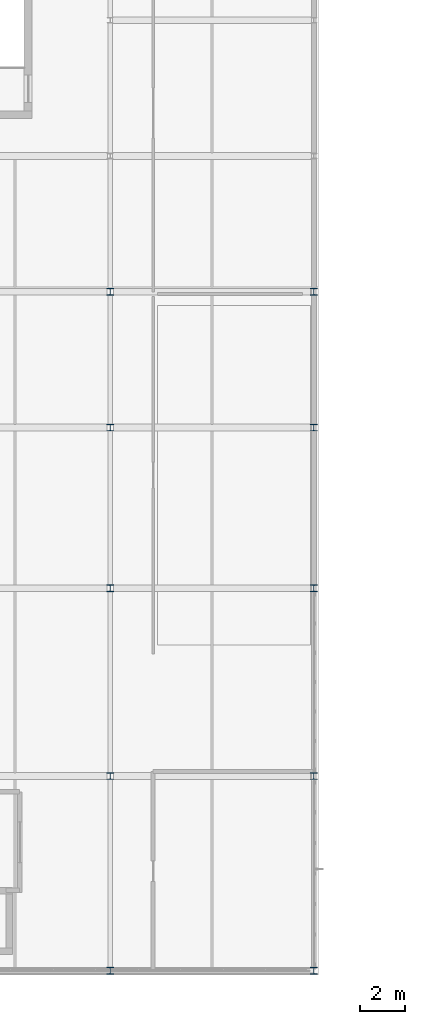
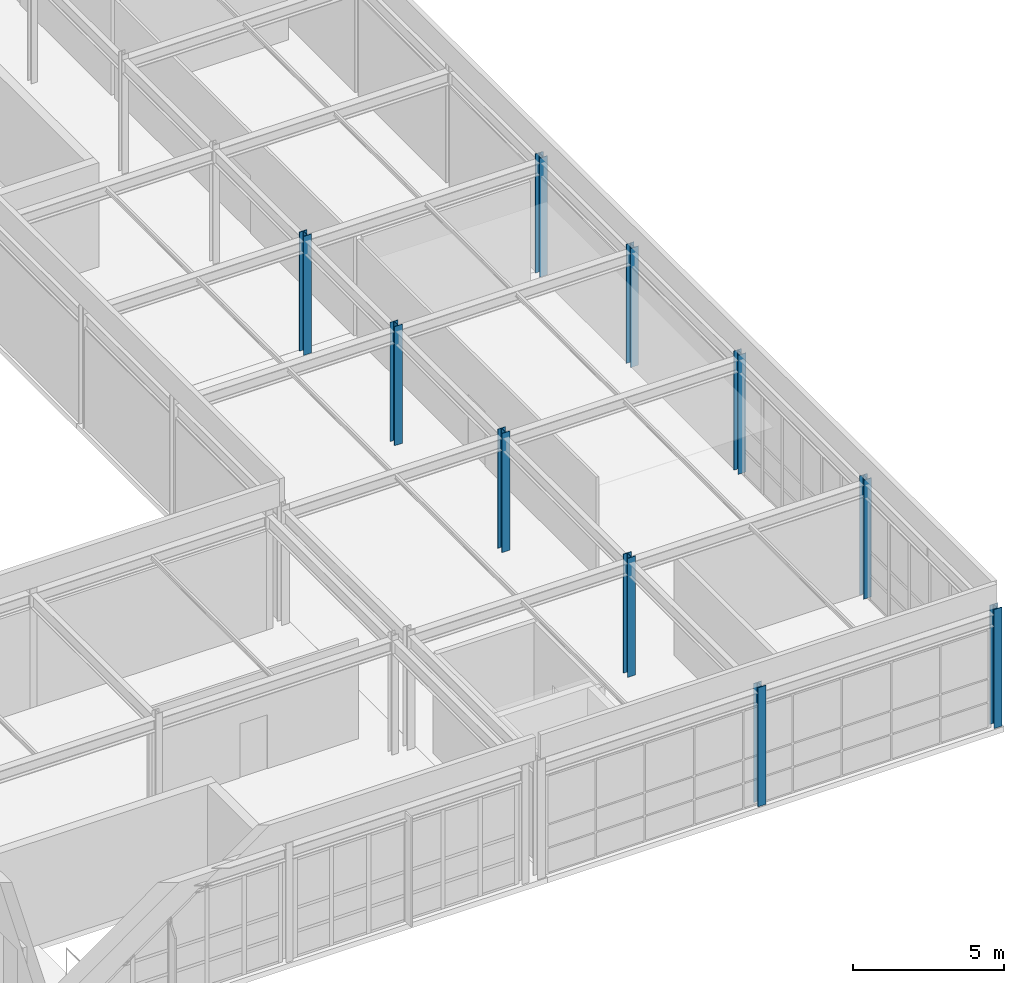
# One storey, part 4 of 38: 10 columns.
"""IFC4 building model written with IfcOpenShell, lengths in metres."""

from ifc_helpers import new_model, si_unit, direction, frame, origin, origin_2d, place, context, subcontext, project, spatial, i_section, extrude, material, material_profile, profile_set, type_object, element, save


model = new_model("IFC4")

# Units and contexts
model_context = context("Model", 3, precision=1e-05, world=origin(), true_north=direction((0.0, 1.0)))
body_context = subcontext(model_context, "Body", "Model", "MODEL_VIEW")
ifc_project = project(units=[si_unit("LENGTHUNIT", "METRE"), si_unit("AREAUNIT", "SQUARE_METRE"), si_unit("VOLUMEUNIT", "CUBIC_METRE"), si_unit("PLANEANGLEUNIT", "RADIAN"), si_unit("MASSUNIT", "GRAM", prefix="KILO")], contexts=[model_context])

# Site, building, storey
site_placement = place(None, origin())
site = spatial("IfcSite", under=ifc_project, at=site_placement, CompositionType="ELEMENT")
building_placement = place(site_placement, origin())
building = spatial("IfcBuilding", under=site, at=building_placement, Name="Kaldris Quays Convention Centre", CompositionType="ELEMENT")
storey_placement = place(building_placement, frame((0.0, 0.0, 21.60009765625)))
storey = spatial("IfcBuildingStorey", under=building, at=storey_placement, Name="L04", CompositionType="ELEMENT", Elevation=21.60009765625)

# Columns
ifc_material = material(Name="Steel S355J2", Category="steel")
ifc_material_profile = material_profile(ifc_material, i_section(OverallWidth=0.300048828125, OverallDepth=0.300048828125, WebThickness=0.010986328125, FlangeThickness=0.01904296875, FilletRadius=0.027099609375, at=origin_2d()), Name="HEB 300")
ifc_profile_set = profile_set([ifc_material_profile], Name="Steel S355J2")
column_type = type_object("IfcColumnType", Name="STRUCTURAL COLUMN CL11", PredefinedType="COLUMN", material=ifc_profile_set)
for number, where, z_axis, x_axis, name in (
    (1, (155.0, 38.0, 0.0), (0.0, 0.0, 1.0), (1.0, 0.0, 0.0), "L04 V4 Column CL11 (155.00, 38.00)"),
    (2, (155.0, 46.60009765625, 0.0), (0.0, 0.0, 1.0), (1.0, 0.0, 0.0), "L04 V4 Column CL11 (155.00, 46.60)"),
    (3, (155.0, 54.89990234375, 0.0), (0.0, 0.0, 1.0), (1.0, 0.0, 0.0), "L04 V4 Column CL11 (155.00, 54.90)"),
    (4, (155.0, 62.0, 0.0), (0.0, 0.0, 1.0), (1.0, 0.0, 0.0), "L04 V4 Column CL11 (155.00, 62.00)"),
    (5, (155.0, 68.0, 0.0), (0.0, 0.0, 1.0), (1.0, 0.0, 0.0), "L04 V4 Column CL11 (155.00, 68.00)"),
    (6, (164.0, 38.0, 0.0), (0.0, 0.0, 1.0), (1.0, 0.0, 0.0), "L04 V4 Column CL11 (164.00, 38.00)"),
    (7, (164.0, 46.60009765625, 0.0), (0.0, 0.0, 1.0), (1.0, 0.0, 0.0), "L04 V4 Column CL11 (164.00, 46.60)"),
    (8, (164.0, 54.89990234375, 0.0), (0.0, 0.0, 1.0), (1.0, 0.0, 0.0), "L04 V4 Column CL11 (164.00, 54.90)"),
    (9, (164.0, 62.0, 0.0), (0.0, 0.0, 1.0), (1.0, 0.0, 0.0), "L04 V4 Column CL11 (164.00, 62.00)"),
    (10, (164.0, 68.0, 0.0), (0.0, 0.0, 1.0), (1.0, 0.0, 0.0), "L04 V4 Column CL11 (164.00, 68.00)"),
):
    element("IfcColumn", number, at=place(storey_placement, frame(where, z_axis=z_axis, x_axis=x_axis)), inside=storey, type_object=column_type, Name=name, PredefinedType="COLUMN", context=body_context, shape_type="SweptSolid", body=[
        extrude(i_section(OverallWidth=0.300048828125, OverallDepth=0.300048828125, WebThickness=0.010986328125, FlangeThickness=0.01904296875, FilletRadius=0.027099609375, at=origin_2d()), origin(), (0.0, 0.0, 1.0), 4.7998046875),
    ])

save(model, "model.ifc")
